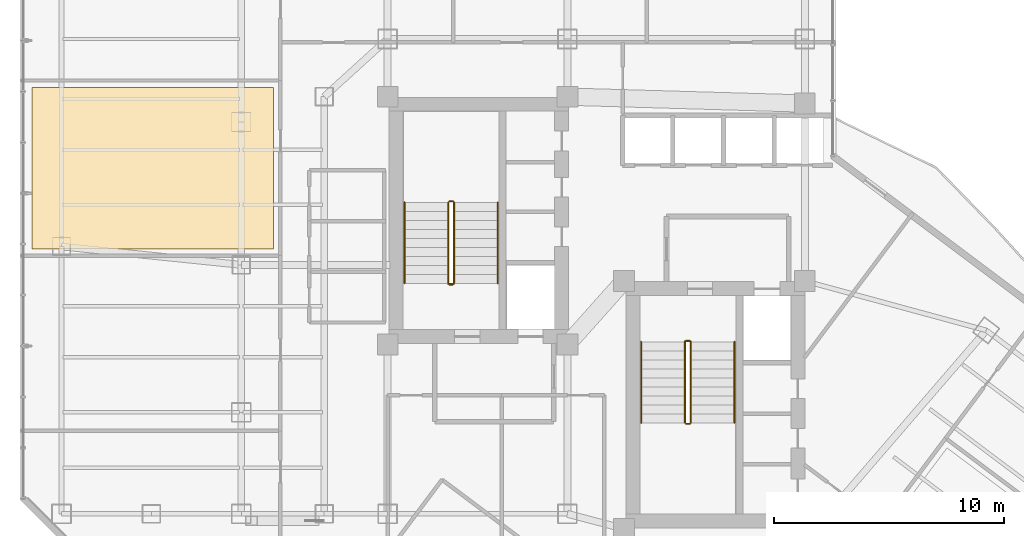
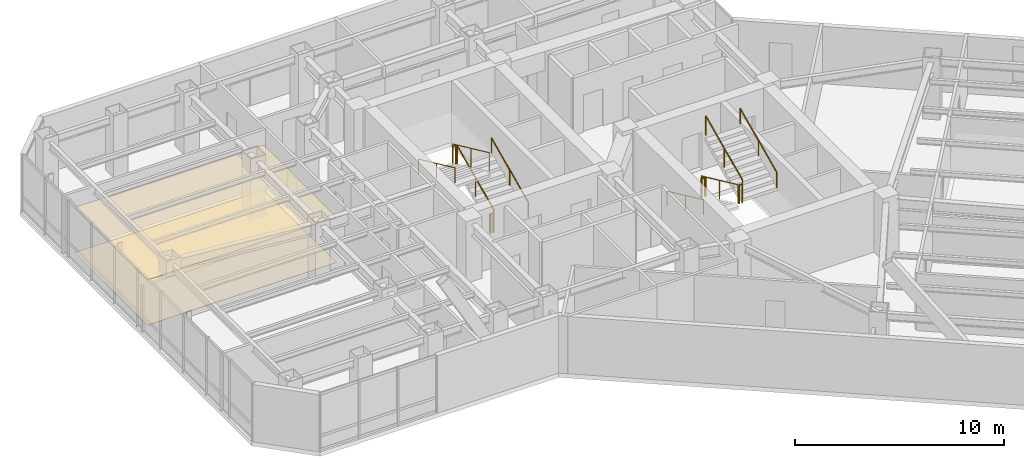
# One storey, part 26 of 28: 14 railings, 2 coverings.
"""IFC4 building model written with IfcOpenShell, lengths in metres."""

from ifc_helpers import new_model, si_unit, direction, frame, origin, origin_2d, place, context, subcontext, project, spatial, polyline, circle, outline, extrude, material, layer, layer_set, type_object, element, save


model = new_model("IFC4")

# Units and contexts
model_context = context("Model", 3, precision=1e-05, world=origin(), true_north=direction((0.0, 1.0)))
body_context = subcontext(model_context, "Body", "Model", "MODEL_VIEW")
ifc_project = project(units=[si_unit("LENGTHUNIT", "METRE"), si_unit("AREAUNIT", "SQUARE_METRE"), si_unit("VOLUMEUNIT", "CUBIC_METRE"), si_unit("PLANEANGLEUNIT", "RADIAN"), si_unit("MASSUNIT", "GRAM", prefix="KILO")], contexts=[model_context])

# Site, building, storey
site_placement = place(None, origin())
site = spatial("IfcSite", under=ifc_project, at=site_placement, CompositionType="ELEMENT")
building_placement = place(site_placement, origin())
building = spatial("IfcBuilding", under=site, at=building_placement, Name="Hatsunagi Terrace Concourse", CompositionType="ELEMENT")
storey_placement = place(building_placement, frame((0.0, 0.0, 160.050048828125)))
storey = spatial("IfcBuildingStorey", under=building, at=storey_placement, Name="L42", CompositionType="ELEMENT", Elevation=160.050048828125)

# Covering
ifc_material_1 = material(Name="Hardwood timber", Category="wood")
ifc_layer_1 = layer(ifc_material_1, 0.014892578125)
ifc_layer_set_1 = layer_set([ifc_layer_1], Name="HardwoodTimberFlooring_15")
covering_type_1 = type_object("IfcCoveringType", Name="HardwoodTimberFlooring_15", PredefinedType="FLOORING", material=ifc_layer_set_1)
covering_1_placement = place(storey_placement, origin())
element("IfcCovering", 1, at=covering_1_placement, inside=storey, type_object=covering_type_1, Name="Finished Flooring L42-1", PredefinedType="FLOORING", context=body_context, shape_type="SweptSolid", body=[
    extrude(outline(polyline([(10.1298828125, 36.699951171875), (20.60009765625, 36.699951171875), (20.60009765625, 43.699951171875), (10.1298828125, 43.699951171875), (10.1298828125, 36.699951171875)])), origin(), (0.0, 0.0, 1.0), 0.014892578125),
])

# Railings
ifc_material_2 = material(Name="Stainless steel", Category="steel")
ifc_layer_2 = layer(ifc_material_2, 0.044921875)
ifc_layer_set_2 = layer_set([ifc_layer_2], Name="StairPitchHandrail_Tower2000")
railing_type_1 = type_object("IfcRailingType", Name="StairPitchHandrail_Tower2000", PredefinedType="HANDRAIL", material=ifc_layer_set_2)
railing_1_placement = place(storey_placement, frame((30.330078125, 35.199951171875, 0.179931640625)))
element("IfcRailing", 2, at=railing_1_placement, inside=storey, type_object=railing_type_1, Name="L42 ST-A stair handrail 1", PredefinedType="HANDRAIL", context=body_context, shape_type="SweptSolid", body=[
    extrude(circle(Radius=0.02392578125, at=origin_2d()), frame((0.0, 0.0, 0.8759765625), z_axis=(0.0, 0.907948293929, 0.419082206198), x_axis=(-1.0, 0.0, 0.0)), (0.0, 0.0, 1.0), 3.865966796875),
    extrude(circle(Radius=0.02099609375, at=origin_2d()), origin(), (0.0, 0.0, 1.0), 0.851806640625),
    extrude(circle(Radius=0.02099609375, at=origin_2d()), frame((0.0, 1.7548828125, 0.81005859375)), (0.0, 0.0, 1.0), 0.851806640625),
    extrude(circle(Radius=0.02099609375, at=origin_2d()), frame((0.0, 3.510009765625, 1.6201171875)), (0.0, 0.0, 1.0), 0.851806640625),
])
railing_2_placement = place(storey_placement, frame((26.280029296875, 38.7099609375, 1.97998046875)))
element("IfcRailing", 3, at=railing_2_placement, inside=storey, type_object=railing_type_1, Name="L42 ST-A stair handrail 2", PredefinedType="HANDRAIL", context=body_context, shape_type="SweptSolid", body=[
    extrude(circle(Radius=0.02392578125, at=origin_2d()), frame((0.0, 0.0, 0.8759765625), z_axis=(0.0, -0.907972323039, 0.419030142823), x_axis=(1.0, 0.0, 0.0)), (0.0, 0.0, 1.0), 3.86572265625),
    extrude(circle(Radius=0.02099609375, at=origin_2d()), origin(), (0.0, 0.0, 1.0), 0.851806640625),
    extrude(circle(Radius=0.02099609375, at=origin_2d()), frame((0.0, -1.7548828125, 0.81005859375)), (0.0, 0.0, 1.0), 0.851806640625),
    extrude(circle(Radius=0.02099609375, at=origin_2d()), frame((0.0, -3.510009765625, 1.619873046875)), (0.0, 0.0, 1.0), 0.851806640625),
])
railing_3_placement = place(storey_placement, frame((36.550048828125, 32.659912109375, 0.179931640625)))
element("IfcRailing", 4, at=railing_3_placement, inside=storey, type_object=railing_type_1, Name="L42 ST-B stair handrail 1", PredefinedType="HANDRAIL", context=body_context, shape_type="SweptSolid", body=[
    extrude(circle(Radius=0.02392578125, at=origin_2d()), frame((0.0, 0.0, 0.8759765625), z_axis=(0.0, -0.907948293929, 0.419082206198), x_axis=(1.0, 0.0, 0.0)), (0.0, 0.0, 1.0), 3.865966796875),
    extrude(circle(Radius=0.02099609375, at=origin_2d()), origin(), (0.0, 0.0, 1.0), 0.851806640625),
    extrude(circle(Radius=0.02099609375, at=origin_2d()), frame((0.0, -1.7548828125, 0.81005859375)), (0.0, 0.0, 1.0), 0.851806640625),
    extrude(circle(Radius=0.02099609375, at=origin_2d()), frame((0.0, -3.510009765625, 1.6201171875)), (0.0, 0.0, 1.0), 0.851806640625),
])
railing_4_placement = place(storey_placement, frame((40.60009765625, 29.14990234375, 1.97998046875)))
element("IfcRailing", 5, at=railing_4_placement, inside=storey, type_object=railing_type_1, Name="L42 ST-B stair handrail 2", PredefinedType="HANDRAIL", context=body_context, shape_type="SweptSolid", body=[
    extrude(circle(Radius=0.02392578125, at=origin_2d()), frame((0.0, 0.0, 0.8759765625), z_axis=(0.0, 0.907972323039, 0.419030142823), x_axis=(-1.0, 0.0, 0.0)), (0.0, 0.0, 1.0), 3.86572265625),
    extrude(circle(Radius=0.02099609375, at=origin_2d()), origin(), (0.0, 0.0, 1.0), 0.851806640625),
    extrude(circle(Radius=0.02099609375, at=origin_2d()), frame((0.0, 1.7548828125, 0.81005859375)), (0.0, 0.0, 1.0), 0.851806640625),
    extrude(circle(Radius=0.02099609375, at=origin_2d()), frame((0.0, 3.510009765625, 1.619873046875)), (0.0, 0.0, 1.0), 0.851806640625),
])
ifc_material_3 = material(Name="Stainless steel", Category="steel")
ifc_layer_3 = layer(ifc_material_3, 0.06005859375)
ifc_layer_set_3 = layer_set([ifc_layer_3], Name="StairWellGuard_Tower2000")
railing_type_2 = type_object("IfcRailingType", Name="StairWellGuard_Tower2000", PredefinedType="BALUSTRADE", material=ifc_layer_set_3)
railing_5_placement = place(storey_placement, frame((28.429931640625, 35.199951171875, 0.179931640625)))
element("IfcRailing", 6, at=railing_5_placement, inside=storey, type_object=railing_type_2, Name="L42 ST-A stair guard 1", PredefinedType="BALUSTRADE", context=body_context, shape_type="SweptSolid", body=[
    extrude(circle(Radius=0.02392578125, at=origin_2d()), frame((0.0, 0.0, 1.09619140625), z_axis=(0.0, 0.907948293929, 0.419082206198), x_axis=(-1.0, 0.0, 0.0)), (0.0, 0.0, 1.0), 3.865966796875),
    extrude(circle(Radius=0.02099609375, at=origin_2d()), origin(), (0.0, 0.0, 1.0), 1.072021484375),
    extrude(circle(Radius=0.02099609375, at=origin_2d()), frame((0.0, 1.7548828125, 0.81005859375)), (0.0, 0.0, 1.0), 1.072021484375),
    extrude(circle(Radius=0.02099609375, at=origin_2d()), frame((0.0, 3.510009765625, 1.6201171875)), (0.0, 0.0, 1.0), 1.072021484375),
])
railing_6_placement = place(storey_placement, frame((28.3798828125, 38.760009765625, 1.800048828125)))
element("IfcRailing", 7, at=railing_6_placement, inside=storey, type_object=railing_type_2, Name="L42 ST-A stair guard 2", PredefinedType="BALUSTRADE", context=body_context, shape_type="SweptSolid", body=[
    extrude(circle(Radius=0.02392578125, at=origin_2d()), frame((0.0, 0.0, 1.09619140625), z_axis=(-1.0, 0.0, 0.0), x_axis=(0.0, -1.0, 0.0)), (0.0, 0.0, 1.0), 0.14990234375),
    extrude(circle(Radius=0.02099609375, at=origin_2d()), origin(), (0.0, 0.0, 1.0), 1.072021484375),
    extrude(circle(Radius=0.02099609375, at=origin_2d()), frame((-0.14990234375, 0.0, 0.0)), (0.0, 0.0, 1.0), 1.072021484375),
])
railing_7_placement = place(storey_placement, frame((28.179931640625, 38.7099609375, 1.97998046875)))
element("IfcRailing", 8, at=railing_7_placement, inside=storey, type_object=railing_type_2, Name="L42 ST-A stair guard 3", PredefinedType="BALUSTRADE", context=body_context, shape_type="SweptSolid", body=[
    extrude(circle(Radius=0.02392578125, at=origin_2d()), frame((0.0, 0.0, 1.09619140625), z_axis=(0.0, -0.907972323039, 0.419030142823), x_axis=(1.0, 0.0, 0.0)), (0.0, 0.0, 1.0), 3.86572265625),
    extrude(circle(Radius=0.02099609375, at=origin_2d()), origin(), (0.0, 0.0, 1.0), 1.072021484375),
    extrude(circle(Radius=0.02099609375, at=origin_2d()), frame((0.0, -1.7548828125, 0.81005859375)), (0.0, 0.0, 1.0), 1.072021484375),
    extrude(circle(Radius=0.02099609375, at=origin_2d()), frame((0.0, -3.510009765625, 1.619873046875)), (0.0, 0.0, 1.0), 1.072021484375),
])
railing_8_placement = place(storey_placement, frame((28.3798828125, 35.14990234375, 0.0)))
element("IfcRailing", 9, at=railing_8_placement, inside=storey, type_object=railing_type_2, Name="L42 ST-A stair guard 4", PredefinedType="BALUSTRADE", context=body_context, shape_type="SweptSolid", body=[
    extrude(circle(Radius=0.02392578125, at=origin_2d()), frame((0.0, 0.0, 1.09619140625), z_axis=(-1.0, 0.0, 0.0), x_axis=(0.0, -1.0, 0.0)), (0.0, 0.0, 1.0), 0.14990234375),
    extrude(circle(Radius=0.02099609375, at=origin_2d()), origin(), (0.0, 0.0, 1.0), 1.072021484375),
    extrude(circle(Radius=0.02099609375, at=origin_2d()), frame((-0.14990234375, 0.0, 0.0)), (0.0, 0.0, 1.0), 1.072021484375),
])
railing_9_placement = place(storey_placement, frame((38.449951171875, 32.659912109375, 0.179931640625)))
element("IfcRailing", 10, at=railing_9_placement, inside=storey, type_object=railing_type_2, Name="L42 ST-B stair guard 1", PredefinedType="BALUSTRADE", context=body_context, shape_type="SweptSolid", body=[
    extrude(circle(Radius=0.02392578125, at=origin_2d()), frame((0.0, 0.0, 1.09619140625), z_axis=(0.0, -0.907948293929, 0.419082206198), x_axis=(1.0, 0.0, 0.0)), (0.0, 0.0, 1.0), 3.865966796875),
    extrude(circle(Radius=0.02099609375, at=origin_2d()), origin(), (0.0, 0.0, 1.0), 1.072021484375),
    extrude(circle(Radius=0.02099609375, at=origin_2d()), frame((0.0, -1.7548828125, 0.81005859375)), (0.0, 0.0, 1.0), 1.072021484375),
    extrude(circle(Radius=0.02099609375, at=origin_2d()), frame((0.0, -3.510009765625, 1.6201171875)), (0.0, 0.0, 1.0), 1.072021484375),
])
railing_10_placement = place(storey_placement, frame((38.5, 29.10009765625, 1.800048828125)))
element("IfcRailing", 11, at=railing_10_placement, inside=storey, type_object=railing_type_2, Name="L42 ST-B stair guard 2", PredefinedType="BALUSTRADE", context=body_context, shape_type="SweptSolid", body=[
    extrude(circle(Radius=0.02392578125, at=origin_2d()), frame((0.0, 0.0, 1.09619140625), z_axis=(1.0, 0.0, 0.0), x_axis=(0.0, 1.0, 0.0)), (0.0, 0.0, 1.0), 0.14990234375),
    extrude(circle(Radius=0.02099609375, at=origin_2d()), origin(), (0.0, 0.0, 1.0), 1.072021484375),
    extrude(circle(Radius=0.02099609375, at=origin_2d()), frame((0.14990234375, 0.0, 0.0)), (0.0, 0.0, 1.0), 1.072021484375),
])
railing_11_placement = place(storey_placement, frame((38.699951171875, 29.14990234375, 1.97998046875)))
element("IfcRailing", 12, at=railing_11_placement, inside=storey, type_object=railing_type_2, Name="L42 ST-B stair guard 3", PredefinedType="BALUSTRADE", context=body_context, shape_type="SweptSolid", body=[
    extrude(circle(Radius=0.02392578125, at=origin_2d()), frame((0.0, 0.0, 1.09619140625), z_axis=(0.0, 0.907972323039, 0.419030142823), x_axis=(-1.0, 0.0, 0.0)), (0.0, 0.0, 1.0), 3.86572265625),
    extrude(circle(Radius=0.02099609375, at=origin_2d()), origin(), (0.0, 0.0, 1.0), 1.072021484375),
    extrude(circle(Radius=0.02099609375, at=origin_2d()), frame((0.0, 1.7548828125, 0.81005859375)), (0.0, 0.0, 1.0), 1.072021484375),
    extrude(circle(Radius=0.02099609375, at=origin_2d()), frame((0.0, 3.510009765625, 1.619873046875)), (0.0, 0.0, 1.0), 1.072021484375),
])
railing_12_placement = place(storey_placement, frame((38.5, 32.7099609375, 0.0)))
element("IfcRailing", 13, at=railing_12_placement, inside=storey, type_object=railing_type_2, Name="L42 ST-B stair guard 4", PredefinedType="BALUSTRADE", context=body_context, shape_type="SweptSolid", body=[
    extrude(circle(Radius=0.02392578125, at=origin_2d()), frame((0.0, 0.0, 1.09619140625), z_axis=(1.0, 0.0, 0.0), x_axis=(0.0, 1.0, 0.0)), (0.0, 0.0, 1.0), 0.14990234375),
    extrude(circle(Radius=0.02099609375, at=origin_2d()), origin(), (0.0, 0.0, 1.0), 1.072021484375),
    extrude(circle(Radius=0.02099609375, at=origin_2d()), frame((0.14990234375, 0.0, 0.0)), (0.0, 0.0, 1.0), 1.072021484375),
])
ifc_material_4 = material(Name="Stainless Steel SUS316 Post-and-Rail Guard", Category="steel")
ifc_layer_4 = layer(ifc_material_4, 0.080078125)
ifc_layer_set_4 = layer_set([ifc_layer_4], Name="TerracePlantedGuardRail_1200")
railing_type_3 = type_object("IfcRailingType", Name="TerracePlantedGuardRail_1200", PredefinedType="GUARDRAIL", material=ifc_layer_set_4)
for number, where, name in (
    (14, (28.179931640625, 35.179931640625, 0.0), "Stair ST-A Well Closure Guard L42"),
    (15, (38.449951171875, 32.679931640625, 0.0), "Stair ST-B Well Closure Guard L42"),
):
    element("IfcRailing", number, at=place(storey_placement, frame(where)), inside=storey, type_object=railing_type_3, Name=name, PredefinedType="GUARDRAIL", context=body_context, shape_type="SweptSolid", body=[
        extrude(circle(Radius=0.02392578125, at=origin_2d()), frame((0.0, 0.0, 1.09619140625), z_axis=(1.0, 0.0, 0.0), x_axis=(0.0, 1.0, 0.0)), (0.0, 0.0, 1.0), 0.25),
        extrude(circle(Radius=0.02099609375, at=origin_2d()), origin(), (0.0, 0.0, 1.0), 1.072021484375),
        extrude(circle(Radius=0.02099609375, at=origin_2d()), frame((0.25, 0.0, 0.0)), (0.0, 0.0, 1.0), 1.072021484375),
    ])

# Covering
ifc_material_5 = material(Name="Hardwood timber", Category="wood")
ifc_layer_5 = layer(ifc_material_5, 0.034912109375)
ifc_layer_set_5 = layer_set([ifc_layer_5], Name="TimberBaffleCeiling_35")
covering_type_2 = type_object("IfcCoveringType", Name="TimberBaffleCeiling_35", PredefinedType="CEILING", material=ifc_layer_set_5)
covering_2_placement = place(storey_placement, frame((0.0, 0.0, 2.6298828125)))
element("IfcCovering", 16, at=covering_2_placement, inside=storey, type_object=covering_type_2, Name="Suspended Ceiling L42-1", PredefinedType="CEILING", context=body_context, shape_type="SweptSolid", body=[
    extrude(outline(polyline([(10.1298828125, 36.699951171875), (20.60009765625, 36.699951171875), (20.60009765625, 43.699951171875), (10.1298828125, 43.699951171875), (10.1298828125, 36.699951171875)])), origin(), (0.0, 0.0, 1.0), 0.03515625),
])

save(model, "model.ifc")
